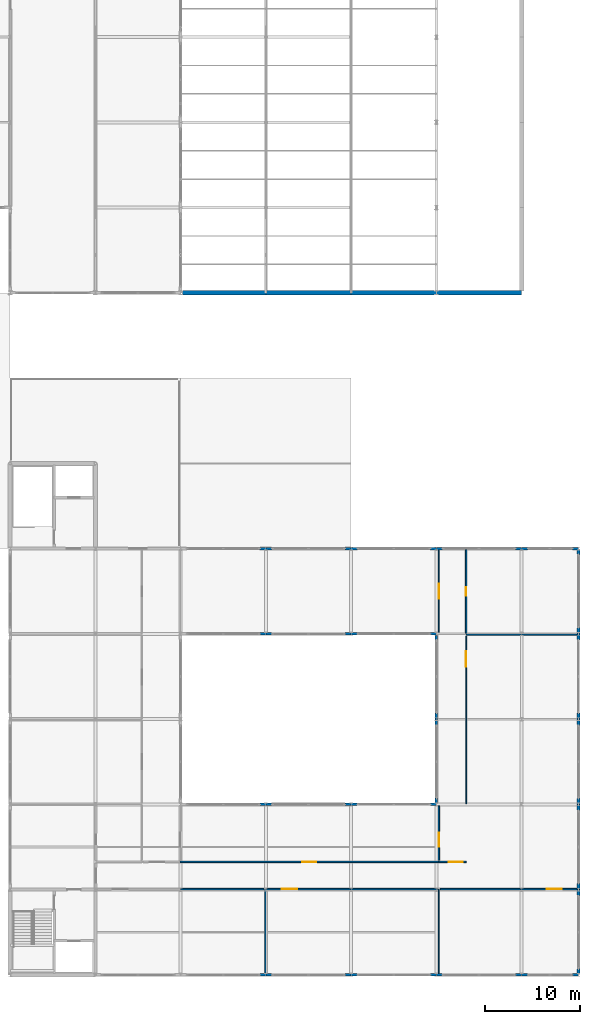
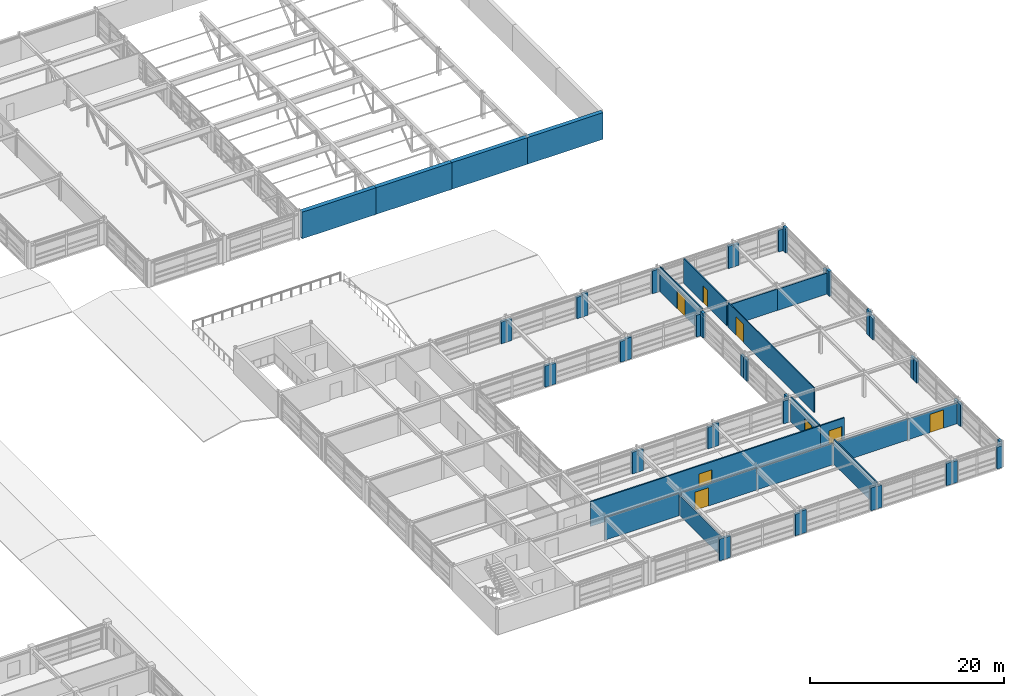
# One storey, part 79 of 91: 61 walls, 8 doors, 8 openings.
"""IFC4 building model written with IfcOpenShell, lengths in metres."""

from ifc_helpers import new_model, si_unit, direction, frame, frame_2d, origin, place, context, subcontext, project, spatial, rectangle, extrude, material, layer, layer_set, type_object, element, fill, save


model = new_model("IFC4")

# Units and contexts
model_context = context("Model", 3, precision=1e-05, world=origin(), true_north=direction((0.0, 1.0)))
body_context = subcontext(model_context, "Body", "Model", "MODEL_VIEW")
ifc_project = project(units=[si_unit("LENGTHUNIT", "METRE"), si_unit("AREAUNIT", "SQUARE_METRE"), si_unit("VOLUMEUNIT", "CUBIC_METRE"), si_unit("PLANEANGLEUNIT", "RADIAN"), si_unit("MASSUNIT", "GRAM", prefix="KILO")], contexts=[model_context])

# Site, building, storey
site_placement = place(None, origin())
site = spatial("IfcSite", under=ifc_project, at=site_placement, CompositionType="ELEMENT")
building_placement = place(site_placement, origin())
building = spatial("IfcBuilding", under=site, at=building_placement, Name="Palais des Congres Ocreval", CompositionType="ELEMENT")
storey_placement = place(building_placement, frame((0.0, 0.0, 8.159912109375)))
storey = spatial("IfcBuildingStorey", under=building, at=storey_placement, Name="L02", CompositionType="ELEMENT", Elevation=8.159912109375)

# Walls
ifc_material_1 = material(Name="Concrete C40/50", Category="concrete")
ifc_layer_1 = layer(ifc_material_1, 0.5)
ifc_layer_set_1 = layer_set([ifc_layer_1], Name="Acoustic Ballroom Wall 500 Concrete C40/50")
wall_type_1 = type_object("IfcWallType", Name="Acoustic Ballroom Wall 500 Concrete C40/50", PredefinedType="SOLIDWALL", material=ifc_layer_set_1)
wall_1_placement = place(storey_placement, frame((126.199951171875, 72.0, -0.239990234375), z_axis=(0.0, 0.0, 1.0), x_axis=(1.0, 0.0, 0.0)))
element("IfcWall", 1, at=wall_1_placement, inside=storey, type_object=wall_type_1, Name="Ballroom Upper Acoustic Cladding Wall EW01 L02-S1", PredefinedType="SOLIDWALL", context=body_context, shape_type="SweptSolid", body=[
    extrude(rectangle(XDim=8.800048828125, YDim=0.5, at=frame_2d((4.39990234375, 0.0))), origin(), (0.0, 0.0, 1.0), 3.35009765625),
])
for number, where, z_axis, x_axis, name in (
    (2, (135.0, 72.0, -0.239990234375), (0.0, 0.0, 1.0), (1.0, 0.0, 0.0), "Ballroom Upper Acoustic Cladding Wall EW01 L02-S2"),
    (3, (144.0, 72.0, -0.239990234375), (0.0, 0.0, 1.0), (1.0, 0.0, 0.0), "Ballroom Upper Acoustic Cladding Wall EW01 L02-S3"),
    (4, (153.0, 72.0, -0.239990234375), (0.0, 0.0, 1.0), (1.0, 0.0, 0.0), "Ballroom Upper Acoustic Cladding Wall EW01 L02-S4"),
):
    element("IfcWall", number, at=place(storey_placement, frame(where, z_axis=z_axis, x_axis=x_axis)), inside=storey, type_object=wall_type_1, Name=name, PredefinedType="SOLIDWALL", context=body_context, shape_type="SweptSolid", body=[
        extrude(rectangle(XDim=9.0, YDim=0.5, at=frame_2d((4.5, 0.0))), origin(), (0.0, 0.0, 1.0), 3.35009765625),
    ])
ifc_material_2 = material(Name="Moisture-resistant gypsum board")
ifc_layer_2 = layer(ifc_material_2, 0.139892578125)
ifc_layer_set_2 = layer_set([ifc_layer_2], Name="Bathroom Plumbing Chase Wall 140 Gypsum (Moisture-resistant gypsum board)")
wall_type_2 = type_object("IfcWallType", Name="Bathroom Plumbing Chase Wall 140 Gypsum", PredefinedType="PLUMBINGWALL", material=ifc_layer_set_2)
wall_2_placement = place(storey_placement, frame((156.139892578125, 35.909912109375, 0.0), z_axis=(0.0, 0.0, 1.0), x_axis=(1.0, 0.0, 0.0)))
element("IfcWall", 5, at=wall_2_placement, inside=storey, type_object=wall_type_2, Name="Interior Partition PW03 L02", PredefinedType="PLUMBINGWALL", context=body_context, shape_type="SweptSolid", body=[
    extrude(rectangle(XDim=5.840087890625, YDim=0.139892578125, at=frame_2d((2.919921875, 0.0))), origin(), (0.0, 0.0, 1.0), 2.7001953125),
])

# Wall, opening, door
wall_3_placement = place(storey_placement, frame((156.135009765625, 36.06494140625, 0.0), z_axis=(0.0, 0.0, 1.0), x_axis=(0.0, 1.0, 0.0)))
wall_3 = element("IfcWall", 6, at=wall_3_placement, inside=storey, type_object=wall_type_2, Name="Interior Partition PW03 L02", PredefinedType="PLUMBINGWALL", context=body_context, shape_type="SweptSolid", body=[
    extrude(rectangle(XDim=8.840087890625, YDim=0.139892578125, at=frame_2d((4.419921875, 0.0))), origin(), (0.0, 0.0, 1.0), 3.110107421875),
])
opening_1_placement = place(wall_3_placement, frame((3.969970703125, 0.0, 0.0)))
opening_1 = element("IfcOpeningElement", 7, at=opening_1_placement, cuts=wall_3, Name="Opening D09", PredefinedType="OPENING", context=body_context, shape_type="SweptSolid", body=[
    extrude(rectangle(XDim=0.89990234375, YDim=2.10009765625, at=frame_2d((0.449951171875, 1.050048828125))), frame((0.0, 0.079833984375, 0.0), z_axis=(0.0, -1.0, 0.0), x_axis=(1.0, 0.0, 0.0)), (0.0, 0.0, 1.0), 0.159912109375),
])
ifc_material_3 = material(Name="Solid French oak", Category="wood")
door_type_1 = type_object("IfcDoorType", Name="Accessible Restroom Door 900x2100", OperationType="NOTDEFINED", PredefinedType="DOOR", material=ifc_material_3)
door_1_placement = place(opening_1_placement, origin())
door_1 = element("IfcDoor", 8, at=door_1_placement, inside=storey, type_object=door_type_1, Name="Interior Door D09 L02", OperationType="SINGLE_SWING_RIGHT", OverallHeight=2.10009765625, OverallWidth=0.89990234375, PredefinedType="DOOR", context=body_context, shape_type="SweptSolid", body=[
    extrude(rectangle(XDim=0.89990234375, YDim=2.10009765625, at=frame_2d((0.449951171875, 1.050048828125))), frame((0.0, 0.02490234375, 0.0), z_axis=(0.0, -1.0, 0.0), x_axis=(1.0, 0.0, 0.0)), (0.0, 0.0, 1.0), 0.050048828125),
])
fill(opening_1, door_1)

# Wall
wall_4_placement = place(storey_placement, frame((161.97998046875, 35.909912109375, 0.0), z_axis=(0.0, 0.0, 1.0), x_axis=(1.0, 0.0, 0.0)))
element("IfcWall", 9, at=wall_4_placement, inside=storey, type_object=wall_type_2, Name="Interior Partition PW03 L02", PredefinedType="PLUMBINGWALL", context=body_context, shape_type="SweptSolid", body=[
    extrude(rectangle(XDim=5.875, YDim=0.139892578125, at=frame_2d((2.9375, 0.0))), origin(), (0.0, 0.0, 1.0), 2.650146484375),
])

# Wall, opening, door
ifc_material_4 = material(Name="Gypsum acoustic partition")
ifc_layer_3 = layer(ifc_material_4, 0.159912109375)
ifc_layer_set_3 = layer_set([ifc_layer_3], Name="Corridor Fire Partition 160 Gypsum (Gypsum acoustic partition)")
wall_type_3 = type_object("IfcWallType", Name="Corridor Fire Partition 160 Gypsum", PredefinedType="PARTITIONING", material=ifc_layer_set_3)
wall_5_placement = place(storey_placement, frame((153.27001953125, 11.93505859375, 0.0), z_axis=(0.0, 0.0, 1.0), x_axis=(1.0, 0.0, 0.0)))
wall_5 = element("IfcWall", 10, at=wall_5_placement, inside=storey, type_object=wall_type_3, Name="Interior Partition IW03 L02", PredefinedType="PARTITIONING", context=body_context, shape_type="SweptSolid", body=[
    extrude(rectangle(XDim=2.85986328125, YDim=0.159912109375, at=frame_2d((1.429931640625, 0.0))), origin(), (0.0, 0.0, 1.0), 3.110107421875),
])
opening_2_placement = place(wall_5_placement, frame((1.023193359375, 0.0, 0.0)))
opening_2 = element("IfcOpeningElement", 11, at=opening_2_placement, cuts=wall_5, Name="Opening D04", PredefinedType="OPENING", context=body_context, shape_type="SweptSolid", body=[
    extrude(rectangle(XDim=1.5, YDim=2.10009765625, at=frame_2d((0.75, 1.050048828125))), frame((0.0, 0.08984375, 0.0), z_axis=(0.0, -1.0, 0.0), x_axis=(1.0, 0.0, 0.0)), (0.0, 0.0, 1.0), 0.179931640625),
])
ifc_material_5 = material(Name="Solid French oak fire door", Category="wood")
door_type_2 = type_object("IfcDoorType", Name="Corridor Compartment Double Door 1500x2100", OperationType="NOTDEFINED", PredefinedType="DOOR", material=ifc_material_5)
door_2_placement = place(opening_2_placement, origin())
door_2 = element("IfcDoor", 12, at=door_2_placement, inside=storey, type_object=door_type_2, Name="Interior Door D04 L02", OperationType="DOUBLE_DOOR_SINGLE_SWING", OverallHeight=2.10009765625, OverallWidth=1.5, PredefinedType="DOOR", context=body_context, shape_type="SweptSolid", body=[
    extrude(rectangle(XDim=1.5, YDim=2.10009765625, at=frame_2d((0.75, 1.050048828125))), frame((0.0, 0.02490234375, 0.0), z_axis=(0.0, -1.0, 0.0), x_axis=(1.0, 0.0, 0.0)), (0.0, 0.0, 1.0), 0.050048828125),
])
fill(opening_2, door_2)

wall_6_placement = place(storey_placement, frame((135.090087890625, 9.06494140625, 0.0), z_axis=(0.0, 0.0, 1.0), x_axis=(1.0, 0.0, 0.0)))
wall_6 = element("IfcWall", 13, at=wall_6_placement, inside=storey, type_object=wall_type_3, Name="Interior Partition IW03 L02", PredefinedType="PARTITIONING", context=body_context, shape_type="SweptSolid", body=[
    extrude(rectangle(XDim=8.889892578125, YDim=0.159912109375, at=frame_2d((4.44482421875, 0.0))), origin(), (0.0, 0.0, 1.0), 2.77001953125),
])
opening_3_placement = place(wall_6_placement, frame((1.60009765625, 0.0, 0.0)))
opening_3 = element("IfcOpeningElement", 14, at=opening_3_placement, cuts=wall_6, Name="Opening D12", PredefinedType="OPENING", context=body_context, shape_type="SweptSolid", body=[
    extrude(rectangle(XDim=1.60009765625, YDim=2.300048828125, at=frame_2d((0.800048828125, 1.14990234375))), frame((0.0, 0.08984375, 0.0), z_axis=(0.0, -1.0, 0.0), x_axis=(1.0, 0.0, 0.0)), (0.0, 0.0, 1.0), 0.179931640625),
])
door_type_3 = type_object("IfcDoorType", Name="Meeting Room Acoustic Double Door 1600x2300", OperationType="NOTDEFINED", PredefinedType="DOOR", material=ifc_material_3)
door_3_placement = place(opening_3_placement, origin())
door_3 = element("IfcDoor", 15, at=door_3_placement, inside=storey, type_object=door_type_3, Name="Interior Door D12 L02", OperationType="DOUBLE_DOOR_SINGLE_SWING", OverallHeight=2.300048828125, OverallWidth=1.60009765625, PredefinedType="DOOR", context=body_context, shape_type="SweptSolid", body=[
    extrude(rectangle(XDim=1.60009765625, YDim=2.300048828125, at=frame_2d((0.800048828125, 1.14990234375))), frame((0.0, 0.02490234375, 0.0), z_axis=(0.0, -1.0, 0.0), x_axis=(1.0, 0.0, 0.0)), (0.0, 0.0, 1.0), 0.050048828125),
])
fill(opening_3, door_3)

# Wall
wall_7_placement = place(storey_placement, frame((153.419921875, 9.06494140625, 0.0), z_axis=(0.0, 0.0, 1.0), x_axis=(1.0, 0.0, 0.0)))
element("IfcWall", 16, at=wall_7_placement, inside=storey, type_object=wall_type_3, Name="Interior Partition IW03 L02", PredefinedType="PARTITIONING", context=body_context, shape_type="SweptSolid", body=[
    extrude(rectangle(XDim=8.56005859375, YDim=0.159912109375, at=frame_2d((4.280029296875, 0.0))), origin(), (0.0, 0.0, 1.0), 2.66015625),
])

# Wall, opening, door
wall_8_placement = place(storey_placement, frame((125.919921875, 11.93505859375, 0.0), z_axis=(0.0, 0.0, 1.0), x_axis=(1.0, 0.0, 0.0)))
wall_8 = element("IfcWall", 17, at=wall_8_placement, inside=storey, type_object=wall_type_3, Name="Interior Partition IW03 L02", PredefinedType="PARTITIONING", context=body_context, shape_type="SweptSolid", body=[
    extrude(rectangle(XDim=27.340087890625, YDim=0.159912109375, at=frame_2d((13.669921875, 0.0))), origin(), (0.0, 0.0, 1.0), 3.110107421875),
])
opening_4_placement = place(wall_8_placement, frame((12.919921875, 0.0, 0.0)))
opening_4 = element("IfcOpeningElement", 18, at=opening_4_placement, cuts=wall_8, Name="Opening D04", PredefinedType="OPENING", context=body_context, shape_type="SweptSolid", body=[
    extrude(rectangle(XDim=1.5, YDim=2.10009765625, at=frame_2d((0.75, 1.050048828125))), frame((0.0, 0.08984375, 0.0), z_axis=(0.0, -1.0, 0.0), x_axis=(1.0, 0.0, 0.0)), (0.0, 0.0, 1.0), 0.179931640625),
])
door_4_placement = place(opening_4_placement, origin())
door_4 = element("IfcDoor", 19, at=door_4_placement, inside=storey, type_object=door_type_2, Name="Interior Door D04 L02", OperationType="DOUBLE_DOOR_SINGLE_SWING", OverallHeight=2.10009765625, OverallWidth=1.5, PredefinedType="DOOR", context=body_context, shape_type="SweptSolid", body=[
    extrude(rectangle(XDim=1.5, YDim=2.10009765625, at=frame_2d((0.75, 1.050048828125))), frame((0.0, 0.02490234375, 0.0), z_axis=(0.0, -1.0, 0.0), x_axis=(1.0, 0.0, 0.0)), (0.0, 0.0, 1.0), 0.050048828125),
])
fill(opening_4, door_4)

wall_9_placement = place(storey_placement, frame((153.264892578125, 12.090087890625, 0.0), z_axis=(0.0, 0.0, 1.0), x_axis=(0.0, 1.0, 0.0)))
wall_9 = element("IfcWall", 20, at=wall_9_placement, inside=storey, type_object=wall_type_3, Name="Interior Partition IW03 L02", PredefinedType="PARTITIONING", context=body_context, shape_type="SweptSolid", body=[
    extrude(rectangle(XDim=5.764892578125, YDim=0.159912109375, at=frame_2d((2.88232421875, 0.0))), origin(), (0.0, 0.0, 1.0), 3.110107421875),
])
opening_5_placement = place(wall_9_placement, frame((1.440673828125, 0.0, 0.0)))
opening_5 = element("IfcOpeningElement", 21, at=opening_5_placement, cuts=wall_9, Name="Opening D04", PredefinedType="OPENING", context=body_context, shape_type="SweptSolid", body=[
    extrude(rectangle(XDim=1.5, YDim=2.10009765625, at=frame_2d((0.75, 1.050048828125))), frame((0.0, 0.08984375, 0.0), z_axis=(0.0, -1.0, 0.0), x_axis=(1.0, 0.0, 0.0)), (0.0, 0.0, 1.0), 0.179931640625),
])
door_5_placement = place(opening_5_placement, origin())
door_5 = element("IfcDoor", 22, at=door_5_placement, inside=storey, type_object=door_type_2, Name="Interior Door D04 L02", OperationType="DOUBLE_DOOR_SINGLE_SWING", OverallHeight=2.10009765625, OverallWidth=1.5, PredefinedType="DOOR", context=body_context, shape_type="SweptSolid", body=[
    extrude(rectangle(XDim=1.5, YDim=2.10009765625, at=frame_2d((0.75, 1.050048828125))), frame((0.0, 0.02490234375, 0.0), z_axis=(0.0, -1.0, 0.0), x_axis=(1.0, 0.0, 0.0)), (0.0, 0.0, 1.0), 0.050048828125),
])
fill(opening_5, door_5)

# Walls
wall_10_placement = place(storey_placement, frame((125.97998046875, 9.06494140625, 0.0), z_axis=(0.0, 0.0, 1.0), x_axis=(1.0, 0.0, 0.0)))
element("IfcWall", 23, at=wall_10_placement, inside=storey, type_object=wall_type_3, Name="Interior Partition IW03 L02", PredefinedType="PARTITIONING", context=body_context, shape_type="SweptSolid", body=[
    extrude(rectangle(XDim=8.800048828125, YDim=0.159912109375, at=frame_2d((4.39990234375, 0.0))), origin(), (0.0, 0.0, 1.0), 2.81005859375),
])
wall_11_placement = place(storey_placement, frame((143.97998046875, 9.06494140625, 0.0), z_axis=(0.0, 0.0, 1.0), x_axis=(1.0, 0.0, 0.0)))
element("IfcWall", 24, at=wall_11_placement, inside=storey, type_object=wall_type_3, Name="Interior Partition IW03 L02", PredefinedType="PARTITIONING", context=body_context, shape_type="SweptSolid", body=[
    extrude(rectangle(XDim=9.130126953125, YDim=0.159912109375, at=frame_2d((4.56494140625, 0.0))), origin(), (0.0, 0.0, 1.0), 2.710205078125),
])

# Wall, opening, door
wall_12_placement = place(storey_placement, frame((161.97998046875, 9.06494140625, 0.0), z_axis=(0.0, 0.0, 1.0), x_axis=(1.0, 0.0, 0.0)))
wall_12 = element("IfcWall", 25, at=wall_12_placement, inside=storey, type_object=wall_type_3, Name="Interior Partition IW03 L02", PredefinedType="PARTITIONING", context=body_context, shape_type="SweptSolid", body=[
    extrude(rectangle(XDim=5.875, YDim=0.159912109375, at=frame_2d((2.9375, 0.0))), origin(), (0.0, 0.0, 1.0), 2.610107421875),
])
opening_6_placement = place(wall_12_placement, frame((2.675048828125, 0.0, 0.0)))
opening_6 = element("IfcOpeningElement", 26, at=opening_6_placement, cuts=wall_12, Name="Opening D12", PredefinedType="OPENING", context=body_context, shape_type="SweptSolid", body=[
    extrude(rectangle(XDim=1.60009765625, YDim=2.300048828125, at=frame_2d((0.800048828125, 1.14990234375))), frame((0.0, 0.08984375, 0.0), z_axis=(0.0, -1.0, 0.0), x_axis=(1.0, 0.0, 0.0)), (0.0, 0.0, 1.0), 0.179931640625),
])
door_6_placement = place(opening_6_placement, origin())
door_6 = element("IfcDoor", 27, at=door_6_placement, inside=storey, type_object=door_type_3, Name="Interior Door D12 L02", OperationType="DOUBLE_DOOR_SINGLE_SWING", OverallHeight=2.300048828125, OverallWidth=1.60009765625, PredefinedType="DOOR", context=body_context, shape_type="SweptSolid", body=[
    extrude(rectangle(XDim=1.60009765625, YDim=2.300048828125, at=frame_2d((0.800048828125, 1.14990234375))), frame((0.0, 0.02490234375, 0.0), z_axis=(0.0, -1.0, 0.0), x_axis=(1.0, 0.0, 0.0)), (0.0, 0.0, 1.0), 0.050048828125),
])
fill(opening_6, door_6)

# Walls
ifc_material_6 = material(Name="Gypsum board partition")
ifc_layer_4 = layer(ifc_material_6, 0.1201171875)
ifc_layer_set_4 = layer_set([ifc_layer_4], Name="Suite Subdivision Partition 120 Gypsum (Gypsum board partition)")
wall_type_4 = type_object("IfcWallType", Name="Suite Subdivision Partition 120 Gypsum", PredefinedType="PARTITIONING", material=ifc_layer_set_4)
wall_13_placement = place(storey_placement, frame((134.93505859375, 0.14501953125, 0.0), z_axis=(0.0, 0.0, 1.0), x_axis=(0.0, 1.0, 0.0)))
element("IfcWall", 28, at=wall_13_placement, inside=storey, type_object=wall_type_4, Name="Interior Partition IW04 L02", PredefinedType="PARTITIONING", context=body_context, shape_type="SweptSolid", body=[
    extrude(rectangle(XDim=8.9150390625, YDim=0.1201171875, at=frame_2d((4.45751953125, 0.0))), origin(), (0.0, 0.0, 1.0), 2.510009765625),
])
wall_14_placement = place(storey_placement, frame((153.264892578125, 0.14501953125, 0.0), z_axis=(0.0, 0.0, 1.0), x_axis=(0.0, 1.0, 0.0)))
element("IfcWall", 29, at=wall_14_placement, inside=storey, type_object=wall_type_4, Name="Interior Partition IW04 L02", PredefinedType="PARTITIONING", context=body_context, shape_type="SweptSolid", body=[
    extrude(rectangle(XDim=8.9150390625, YDim=0.1201171875, at=frame_2d((4.45751953125, 0.0))), origin(), (0.0, 0.0, 1.0), 3.110107421875),
])

# Wall, opening, door
wall_15_placement = place(storey_placement, frame((153.264892578125, 36.14501953125, 0.0), z_axis=(0.0, 0.0, 1.0), x_axis=(0.0, 1.0, 0.0)))
wall_15 = element("IfcWall", 30, at=wall_15_placement, inside=storey, type_object=wall_type_4, Name="Interior Partition IW04 L02", PredefinedType="PARTITIONING", context=body_context, shape_type="SweptSolid", body=[
    extrude(rectangle(XDim=8.7099609375, YDim=0.1201171875, at=frame_2d((4.35498046875, 0.0))), origin(), (0.0, 0.0, 1.0), 3.110107421875),
])
opening_7_placement = place(wall_15_placement, frame((3.554931640625, 0.0, 0.0)))
opening_7 = element("IfcOpeningElement", 31, at=opening_7_placement, cuts=wall_15, Name="Opening D12", PredefinedType="OPENING", context=body_context, shape_type="SweptSolid", body=[
    extrude(rectangle(XDim=1.60009765625, YDim=2.300048828125, at=frame_2d((0.800048828125, 1.14990234375))), frame((0.0, 0.070068359375, 0.0), z_axis=(0.0, -1.0, 0.0), x_axis=(1.0, 0.0, 0.0)), (0.0, 0.0, 1.0), 0.14013671875),
])
door_7_placement = place(opening_7_placement, origin())
door_7 = element("IfcDoor", 32, at=door_7_placement, inside=storey, type_object=door_type_3, Name="Interior Door D12 L02", OperationType="DOUBLE_DOOR_SINGLE_SWING", OverallHeight=2.300048828125, OverallWidth=1.60009765625, PredefinedType="DOOR", context=body_context, shape_type="SweptSolid", body=[
    extrude(rectangle(XDim=1.60009765625, YDim=2.300048828125, at=frame_2d((0.800048828125, 1.14990234375))), frame((0.0, 0.02490234375, 0.0), z_axis=(0.0, -1.0, 0.0), x_axis=(1.0, 0.0, 0.0)), (0.0, 0.0, 1.0), 0.050048828125),
])
fill(opening_7, door_7)

wall_16_placement = place(storey_placement, frame((156.135009765625, 18.070068359375, 0.0), z_axis=(0.0, 0.0, 1.0), x_axis=(0.0, 1.0, 0.0)))
wall_16 = element("IfcWall", 33, at=wall_16_placement, inside=storey, type_object=wall_type_4, Name="Interior Partition IW04 L02", PredefinedType="PARTITIONING", context=body_context, shape_type="SweptSolid", body=[
    extrude(rectangle(XDim=17.684814453125, YDim=0.1201171875, at=frame_2d((8.84228515625, 0.0))), origin(), (0.0, 0.0, 1.0), 3.110107421875),
])
opening_8_placement = place(wall_16_placement, frame((14.485107421875, 0.0, 0.0)))
opening_8 = element("IfcOpeningElement", 34, at=opening_8_placement, cuts=wall_16, Name="Opening D12", PredefinedType="OPENING", context=body_context, shape_type="SweptSolid", body=[
    extrude(rectangle(XDim=1.60009765625, YDim=2.300048828125, at=frame_2d((0.800048828125, 1.14990234375))), frame((0.0, 0.070068359375, 0.0), z_axis=(0.0, -1.0, 0.0), x_axis=(1.0, 0.0, 0.0)), (0.0, 0.0, 1.0), 0.14013671875),
])
door_8_placement = place(opening_8_placement, origin())
door_8 = element("IfcDoor", 35, at=door_8_placement, inside=storey, type_object=door_type_3, Name="Interior Door D12 L02", OperationType="DOUBLE_DOOR_SINGLE_SWING", OverallHeight=2.300048828125, OverallWidth=1.60009765625, PredefinedType="DOOR", context=body_context, shape_type="SweptSolid", body=[
    extrude(rectangle(XDim=1.60009765625, YDim=2.300048828125, at=frame_2d((0.800048828125, 1.14990234375))), frame((0.0, 0.02490234375, 0.0), z_axis=(0.0, -1.0, 0.0), x_axis=(1.0, 0.0, 0.0)), (0.0, 0.0, 1.0), 0.050048828125),
])
fill(opening_8, door_8)

# Walls
ifc_layer_5 = layer(ifc_material_1, 0.280029296875)
ifc_layer_set_5 = layer_set([ifc_layer_5], Name="Terracotta Mineral-Lime Facade Wall 280 Concrete C40/50")
wall_type_5 = type_object("IfcWallType", Name="Terracotta Mineral-Lime Facade Wall 280 Concrete C40/50", PredefinedType="SOLIDWALL", material=ifc_layer_set_5)
wall_17_placement = place(storey_placement, frame((134.35009765625, 45.0, 0.0), z_axis=(0.0, 0.0, 1.0), x_axis=(1.0, 0.0, 0.0)))
element("IfcWall", 36, at=wall_17_placement, inside=storey, type_object=wall_type_5, Name="Facade Pier EW05 L02", PredefinedType="SOLIDWALL", context=body_context, shape_type="SweptSolid", body=[
    extrude(rectangle(XDim=0.64990234375, YDim=0.280029296875, at=frame_2d((0.324951171875, 0.0))), origin(), (0.0, 0.0, 1.0), 2.739990234375),
])
for number, where, z_axis, x_axis, name in (
    (37, (135.0, 45.0, 0.0), (0.0, 0.0, 1.0), (1.0, 0.0, 0.0), "Facade Pier EW05 L02"),
    (38, (143.35009765625, 45.0, 0.0), (0.0, 0.0, 1.0), (1.0, 0.0, 0.0), "Facade Pier EW05 L02"),
):
    element("IfcWall", number, at=place(storey_placement, frame(where, z_axis=z_axis, x_axis=x_axis)), inside=storey, type_object=wall_type_5, Name=name, PredefinedType="SOLIDWALL", context=body_context, shape_type="SweptSolid", body=[
        extrude(rectangle(XDim=0.64990234375, YDim=0.280029296875, at=frame_2d((0.324951171875, 0.0))), origin(), (0.0, 0.0, 1.0), 2.7001953125),
    ])
for number, where, z_axis, x_axis, name in (
    (39, (144.0, 45.0, 0.0), (0.0, 0.0, 1.0), (1.0, 0.0, 0.0), "Facade Pier EW05 L02"),
    (40, (152.35009765625, 45.0, 0.0), (0.0, 0.0, 1.0), (1.0, 0.0, 0.0), "Facade Pier EW05 L02"),
):
    element("IfcWall", number, at=place(storey_placement, frame(where, z_axis=z_axis, x_axis=x_axis)), inside=storey, type_object=wall_type_5, Name=name, PredefinedType="SOLIDWALL", context=body_context, shape_type="SweptSolid", body=[
        extrude(rectangle(XDim=0.64990234375, YDim=0.280029296875, at=frame_2d((0.324951171875, 0.0))), origin(), (0.0, 0.0, 1.0), 2.8701171875),
    ])
for number, where, z_axis, x_axis, name in (
    (41, (153.0, 45.0, 0.0), (0.0, 0.0, 1.0), (1.0, 0.0, 0.0), "Facade Pier EW05 L02"),
    (42, (161.35009765625, 45.0, 0.0), (0.0, 0.0, 1.0), (1.0, 0.0, 0.0), "Facade Pier EW05 L02"),
):
    element("IfcWall", number, at=place(storey_placement, frame(where, z_axis=z_axis, x_axis=x_axis)), inside=storey, type_object=wall_type_5, Name=name, PredefinedType="SOLIDWALL", context=body_context, shape_type="SweptSolid", body=[
        extrude(rectangle(XDim=0.64990234375, YDim=0.280029296875, at=frame_2d((0.324951171875, 0.0))), origin(), (0.0, 0.0, 1.0), 2.800048828125),
    ])
for number, where, z_axis, x_axis, name in (
    (43, (162.0, 45.0, 0.0), (0.0, 0.0, 1.0), (1.0, 0.0, 0.0), "Facade Pier EW05 L02"),
    (44, (167.35009765625, 45.0, 0.0), (0.0, 0.0, 1.0), (1.0, 0.0, 0.0), "Facade Pier EW05 L02"),
):
    element("IfcWall", number, at=place(storey_placement, frame(where, z_axis=z_axis, x_axis=x_axis)), inside=storey, type_object=wall_type_5, Name=name, PredefinedType="SOLIDWALL", context=body_context, shape_type="SweptSolid", body=[
        extrude(rectangle(XDim=0.64990234375, YDim=0.280029296875, at=frame_2d((0.324951171875, 0.0))), origin(), (0.0, 0.0, 1.0), 2.739990234375),
    ])
wall_18_placement = place(storey_placement, frame((168.0, 44.844970703125, 0.0), z_axis=(0.0, 0.0, 1.0), x_axis=(0.0, -1.0, 0.0)))
element("IfcWall", 45, at=wall_18_placement, inside=storey, type_object=wall_type_5, Name="Facade Pier EW05 L02", PredefinedType="SOLIDWALL", context=body_context, shape_type="SweptSolid", body=[
    extrude(rectangle(XDim=0.494873046875, YDim=0.280029296875, at=frame_2d((0.24755859375, 0.0))), origin(), (0.0, 0.0, 1.0), 3.110107421875),
])
wall_19_placement = place(storey_placement, frame((168.0, 36.64990234375, 0.0), z_axis=(0.0, 0.0, 1.0), x_axis=(0.0, -1.0, 0.0)))
element("IfcWall", 46, at=wall_19_placement, inside=storey, type_object=wall_type_5, Name="Facade Pier EW05 L02", PredefinedType="SOLIDWALL", context=body_context, shape_type="SweptSolid", body=[
    extrude(rectangle(XDim=0.64990234375, YDim=0.280029296875, at=frame_2d((0.324951171875, 0.0))), origin(), (0.0, 0.0, 1.0), 2.800048828125),
])
for number, where, z_axis, x_axis, name in (
    (47, (168.0, 36.0, 0.0), (0.0, 0.0, 1.0), (0.0, -1.0, 0.0), "Facade Pier EW05 L02"),
    (48, (168.0, 27.64990234375, 0.0), (0.0, 0.0, 1.0), (0.0, -1.0, 0.0), "Facade Pier EW05 L02"),
):
    element("IfcWall", number, at=place(storey_placement, frame(where, z_axis=z_axis, x_axis=x_axis)), inside=storey, type_object=wall_type_5, Name=name, PredefinedType="SOLIDWALL", context=body_context, shape_type="SweptSolid", body=[
        extrude(rectangle(XDim=0.64990234375, YDim=0.280029296875, at=frame_2d((0.324951171875, 0.0))), origin(), (0.0, 0.0, 1.0), 3.110107421875),
    ])
for number, where, z_axis, x_axis, name in (
    (49, (168.0, 27.0, 0.0), (0.0, 0.0, 1.0), (0.0, -1.0, 0.0), "Facade Pier EW05 L02"),
    (50, (168.0, 18.64990234375, 0.0), (0.0, 0.0, 1.0), (0.0, -1.0, 0.0), "Facade Pier EW05 L02"),
):
    element("IfcWall", number, at=place(storey_placement, frame(where, z_axis=z_axis, x_axis=x_axis)), inside=storey, type_object=wall_type_5, Name=name, PredefinedType="SOLIDWALL", context=body_context, shape_type="SweptSolid", body=[
        extrude(rectangle(XDim=0.64990234375, YDim=0.280029296875, at=frame_2d((0.324951171875, 0.0))), origin(), (0.0, 0.0, 1.0), 2.7001953125),
    ])
for number, where, z_axis, x_axis, name in (
    (51, (168.0, 18.0, 0.0), (0.0, 0.0, 1.0), (0.0, -1.0, 0.0), "Facade Pier EW05 L02"),
    (52, (168.0, 9.64990234375, 0.0), (0.0, 0.0, 1.0), (0.0, -1.0, 0.0), "Facade Pier EW05 L02"),
):
    element("IfcWall", number, at=place(storey_placement, frame(where, z_axis=z_axis, x_axis=x_axis)), inside=storey, type_object=wall_type_5, Name=name, PredefinedType="SOLIDWALL", context=body_context, shape_type="SweptSolid", body=[
        extrude(rectangle(XDim=0.64990234375, YDim=0.280029296875, at=frame_2d((0.324951171875, 0.0))), origin(), (0.0, 0.0, 1.0), 2.739990234375),
    ])
wall_20_placement = place(storey_placement, frame((168.0, 9.0, 0.0), z_axis=(0.0, 0.0, 1.0), x_axis=(0.0, -1.0, 0.0)))
element("IfcWall", 53, at=wall_20_placement, inside=storey, type_object=wall_type_5, Name="Facade Pier EW05 L02", PredefinedType="SOLIDWALL", context=body_context, shape_type="SweptSolid", body=[
    extrude(rectangle(XDim=0.64990234375, YDim=0.280029296875, at=frame_2d((0.324951171875, 0.0))), origin(), (0.0, 0.0, 1.0), 2.800048828125),
])
wall_21_placement = place(storey_placement, frame((168.0, 0.64990234375, 0.0), z_axis=(0.0, 0.0, 1.0), x_axis=(0.0, -1.0, 0.0)))
element("IfcWall", 54, at=wall_21_placement, inside=storey, type_object=wall_type_5, Name="Facade Pier EW05 L02", PredefinedType="SOLIDWALL", context=body_context, shape_type="SweptSolid", body=[
    extrude(rectangle(XDim=0.494873046875, YDim=0.280029296875, at=frame_2d((0.24755859375, 0.0))), origin(), (0.0, 0.0, 1.0), 3.110107421875),
])
for number, where, z_axis, x_axis, name in (
    (55, (168.0, 0.0, 0.0), (0.0, 0.0, 1.0), (-1.0, 0.0, 0.0), "Facade Pier EW05 L02"),
    (56, (162.64990234375, 0.0, 0.0), (0.0, 0.0, 1.0), (-1.0, 0.0, 0.0), "Facade Pier EW05 L02"),
):
    element("IfcWall", number, at=place(storey_placement, frame(where, z_axis=z_axis, x_axis=x_axis)), inside=storey, type_object=wall_type_5, Name=name, PredefinedType="SOLIDWALL", context=body_context, shape_type="SweptSolid", body=[
        extrude(rectangle(XDim=0.64990234375, YDim=0.280029296875, at=frame_2d((0.324951171875, 0.0))), origin(), (0.0, 0.0, 1.0), 2.739990234375),
    ])
for number, where, z_axis, x_axis, name in (
    (57, (162.0, 0.0, 0.0), (0.0, 0.0, 1.0), (-1.0, 0.0, 0.0), "Facade Pier EW05 L02"),
    (58, (153.64990234375, 0.0, 0.0), (0.0, 0.0, 1.0), (-1.0, 0.0, 0.0), "Facade Pier EW05 L02"),
):
    element("IfcWall", number, at=place(storey_placement, frame(where, z_axis=z_axis, x_axis=x_axis)), inside=storey, type_object=wall_type_5, Name=name, PredefinedType="SOLIDWALL", context=body_context, shape_type="SweptSolid", body=[
        extrude(rectangle(XDim=0.64990234375, YDim=0.280029296875, at=frame_2d((0.324951171875, 0.0))), origin(), (0.0, 0.0, 1.0), 2.800048828125),
    ])
for number, where, z_axis, x_axis, name in (
    (59, (153.0, 0.0, 0.0), (0.0, 0.0, 1.0), (-1.0, 0.0, 0.0), "Facade Pier EW05 L02"),
    (60, (144.64990234375, 0.0, 0.0), (0.0, 0.0, 1.0), (-1.0, 0.0, 0.0), "Facade Pier EW05 L02"),
):
    element("IfcWall", number, at=place(storey_placement, frame(where, z_axis=z_axis, x_axis=x_axis)), inside=storey, type_object=wall_type_5, Name=name, PredefinedType="SOLIDWALL", context=body_context, shape_type="SweptSolid", body=[
        extrude(rectangle(XDim=0.64990234375, YDim=0.280029296875, at=frame_2d((0.324951171875, 0.0))), origin(), (0.0, 0.0, 1.0), 2.8701171875),
    ])
for number, where, z_axis, x_axis, name in (
    (61, (144.0, 0.0, 0.0), (0.0, 0.0, 1.0), (-1.0, 0.0, 0.0), "Facade Pier EW05 L02"),
    (62, (135.64990234375, 0.0, 0.0), (0.0, 0.0, 1.0), (-1.0, 0.0, 0.0), "Facade Pier EW05 L02"),
):
    element("IfcWall", number, at=place(storey_placement, frame(where, z_axis=z_axis, x_axis=x_axis)), inside=storey, type_object=wall_type_5, Name=name, PredefinedType="SOLIDWALL", context=body_context, shape_type="SweptSolid", body=[
        extrude(rectangle(XDim=0.64990234375, YDim=0.280029296875, at=frame_2d((0.324951171875, 0.0))), origin(), (0.0, 0.0, 1.0), 2.7001953125),
    ])
for number, where, z_axis, x_axis, name in (
    (63, (135.0, 0.0, 0.0), (0.0, 0.0, 1.0), (-1.0, 0.0, 0.0), "Facade Pier EW05 L02"),
    (64, (153.0, 36.0, 0.0), (0.0, 0.0, 1.0), (-1.0, 0.0, 0.0), "Facade Pier EW05 L02"),
    (65, (144.64990234375, 36.0, 0.0), (0.0, 0.0, 1.0), (-1.0, 0.0, 0.0), "Facade Pier EW05 L02"),
):
    element("IfcWall", number, at=place(storey_placement, frame(where, z_axis=z_axis, x_axis=x_axis)), inside=storey, type_object=wall_type_5, Name=name, PredefinedType="SOLIDWALL", context=body_context, shape_type="SweptSolid", body=[
        extrude(rectangle(XDim=0.64990234375, YDim=0.280029296875, at=frame_2d((0.324951171875, 0.0))), origin(), (0.0, 0.0, 1.0), 2.739990234375),
    ])
for number, where, z_axis, x_axis, name in (
    (66, (144.0, 36.0, 0.0), (0.0, 0.0, 1.0), (-1.0, 0.0, 0.0), "Facade Pier EW05 L02"),
    (67, (135.64990234375, 36.0, 0.0), (0.0, 0.0, 1.0), (-1.0, 0.0, 0.0), "Facade Pier EW05 L02"),
):
    element("IfcWall", number, at=place(storey_placement, frame(where, z_axis=z_axis, x_axis=x_axis)), inside=storey, type_object=wall_type_5, Name=name, PredefinedType="SOLIDWALL", context=body_context, shape_type="SweptSolid", body=[
        extrude(rectangle(XDim=0.64990234375, YDim=0.280029296875, at=frame_2d((0.324951171875, 0.0))), origin(), (0.0, 0.0, 1.0), 2.610107421875),
    ])
wall_22_placement = place(storey_placement, frame((135.0, 36.0, 0.0), z_axis=(0.0, 0.0, 1.0), x_axis=(-1.0, 0.0, 0.0)))
element("IfcWall", 68, at=wall_22_placement, inside=storey, type_object=wall_type_5, Name="Facade Pier EW05 L02", PredefinedType="SOLIDWALL", context=body_context, shape_type="SweptSolid", body=[
    extrude(rectangle(XDim=0.64990234375, YDim=0.280029296875, at=frame_2d((0.324951171875, 0.0))), origin(), (0.0, 0.0, 1.0), 2.66015625),
])
wall_23_placement = place(storey_placement, frame((134.35009765625, 18.0, 0.0), z_axis=(0.0, 0.0, 1.0), x_axis=(1.0, 0.0, 0.0)))
element("IfcWall", 69, at=wall_23_placement, inside=storey, type_object=wall_type_5, Name="Facade Pier EW05 L02", PredefinedType="SOLIDWALL", context=body_context, shape_type="SweptSolid", body=[
    extrude(rectangle(XDim=0.64990234375, YDim=0.280029296875, at=frame_2d((0.324951171875, 0.0))), origin(), (0.0, 0.0, 1.0), 2.739990234375),
])
for number, where, z_axis, x_axis, name in (
    (70, (135.0, 18.0, 0.0), (0.0, 0.0, 1.0), (1.0, 0.0, 0.0), "Facade Pier EW05 L02"),
    (71, (143.35009765625, 18.0, 0.0), (0.0, 0.0, 1.0), (1.0, 0.0, 0.0), "Facade Pier EW05 L02"),
):
    element("IfcWall", number, at=place(storey_placement, frame(where, z_axis=z_axis, x_axis=x_axis)), inside=storey, type_object=wall_type_5, Name=name, PredefinedType="SOLIDWALL", context=body_context, shape_type="SweptSolid", body=[
        extrude(rectangle(XDim=0.64990234375, YDim=0.280029296875, at=frame_2d((0.324951171875, 0.0))), origin(), (0.0, 0.0, 1.0), 2.7001953125),
    ])
for number, where, z_axis, x_axis, name in (
    (72, (144.0, 18.0, 0.0), (0.0, 0.0, 1.0), (1.0, 0.0, 0.0), "Facade Pier EW05 L02"),
    (73, (152.35009765625, 18.0, 0.0), (0.0, 0.0, 1.0), (1.0, 0.0, 0.0), "Facade Pier EW05 L02"),
):
    element("IfcWall", number, at=place(storey_placement, frame(where, z_axis=z_axis, x_axis=x_axis)), inside=storey, type_object=wall_type_5, Name=name, PredefinedType="SOLIDWALL", context=body_context, shape_type="SweptSolid", body=[
        extrude(rectangle(XDim=0.64990234375, YDim=0.280029296875, at=frame_2d((0.324951171875, 0.0))), origin(), (0.0, 0.0, 1.0), 2.8701171875),
    ])
wall_24_placement = place(storey_placement, frame((153.0, 18.155029296875, 0.0), z_axis=(0.0, 0.0, 1.0), x_axis=(0.0, 1.0, 0.0)))
element("IfcWall", 74, at=wall_24_placement, inside=storey, type_object=wall_type_5, Name="Facade Pier EW05 L02", PredefinedType="SOLIDWALL", context=body_context, shape_type="SweptSolid", body=[
    extrude(rectangle(XDim=0.494873046875, YDim=0.280029296875, at=frame_2d((0.24755859375, 0.0))), origin(), (0.0, 0.0, 1.0), 3.110107421875),
])
wall_25_placement = place(storey_placement, frame((153.0, 26.35009765625, 0.0), z_axis=(0.0, 0.0, 1.0), x_axis=(0.0, 1.0, 0.0)))
element("IfcWall", 75, at=wall_25_placement, inside=storey, type_object=wall_type_5, Name="Facade Pier EW05 L02", PredefinedType="SOLIDWALL", context=body_context, shape_type="SweptSolid", body=[
    extrude(rectangle(XDim=0.64990234375, YDim=0.280029296875, at=frame_2d((0.324951171875, 0.0))), origin(), (0.0, 0.0, 1.0), 2.710205078125),
])
wall_26_placement = place(storey_placement, frame((153.0, 27.0, 0.0), z_axis=(0.0, 0.0, 1.0), x_axis=(0.0, 1.0, 0.0)))
element("IfcWall", 76, at=wall_26_placement, inside=storey, type_object=wall_type_5, Name="Facade Pier EW05 L02", PredefinedType="SOLIDWALL", context=body_context, shape_type="SweptSolid", body=[
    extrude(rectangle(XDim=0.64990234375, YDim=0.280029296875, at=frame_2d((0.324951171875, 0.0))), origin(), (0.0, 0.0, 1.0), 2.66015625),
])
wall_27_placement = place(storey_placement, frame((153.0, 35.35009765625, 0.0), z_axis=(0.0, 0.0, 1.0), x_axis=(0.0, 1.0, 0.0)))
element("IfcWall", 77, at=wall_27_placement, inside=storey, type_object=wall_type_5, Name="Facade Pier EW05 L02", PredefinedType="SOLIDWALL", context=body_context, shape_type="SweptSolid", body=[
    extrude(rectangle(XDim=0.494873046875, YDim=0.280029296875, at=frame_2d((0.24755859375, 0.0))), origin(), (0.0, 0.0, 1.0), 3.110107421875),
])

save(model, "model.ifc")
